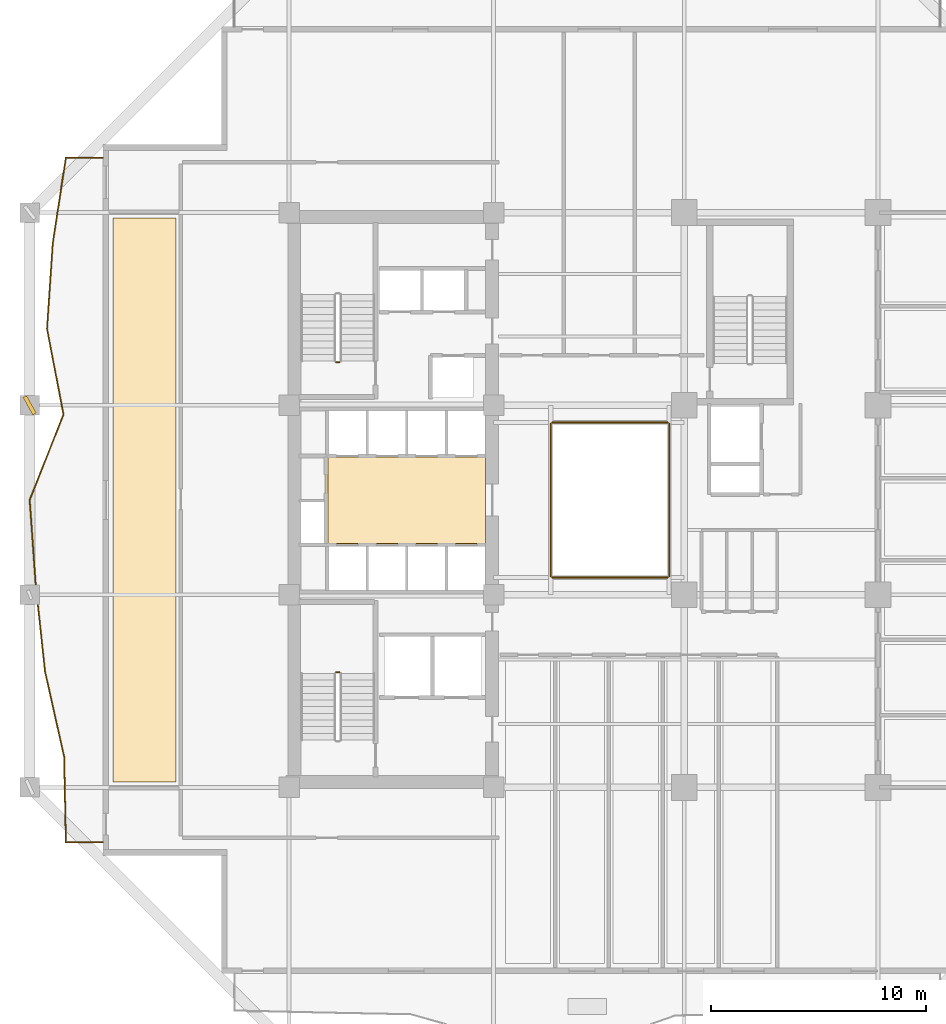
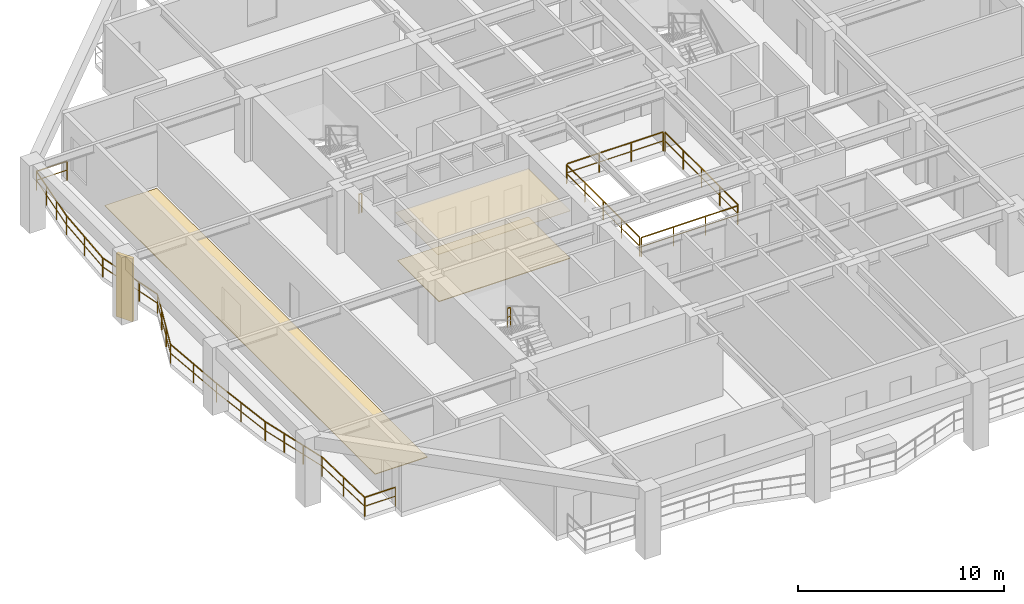
# One storey, part 9 of 13: 7 railings, 3 coverings, 1 shading device.
"""IFC4 building model written with IfcOpenShell, lengths in metres."""

from ifc_helpers import new_model, si_unit, direction, frame, origin, origin_2d, place, context, subcontext, project, spatial, polyline, rectangle, outline, extrude, material, layer, layer_set, type_object, element, save


model = new_model("IFC4")

# Units and contexts
model_context = context("Model", 3, precision=1e-05, world=origin(), true_north=direction((0.0, 1.0)))
body_context = subcontext(model_context, "Body", "Model", "MODEL_VIEW")
ifc_project = project(units=[si_unit("LENGTHUNIT", "METRE"), si_unit("AREAUNIT", "SQUARE_METRE"), si_unit("VOLUMEUNIT", "CUBIC_METRE"), si_unit("PLANEANGLEUNIT", "RADIAN"), si_unit("MASSUNIT", "GRAM", prefix="KILO")], contexts=[model_context])

# Site, building, storey
site_placement = place(None, origin())
site = spatial("IfcSite", under=ifc_project, at=site_placement, CompositionType="ELEMENT")
building_placement = place(site_placement, origin())
building = spatial("IfcBuilding", under=site, at=building_placement, Name="Kundavana Baori Tower", CompositionType="ELEMENT")
storey_placement = place(building_placement, frame((0.0, 0.0, 66.0)))
storey = spatial("IfcBuildingStorey", under=building, at=storey_placement, Name="L15", CompositionType="ELEMENT", Elevation=66.0)

# Coverings
ifc_material_1 = material(Name="Honed Kota Stone and Terrazzo Flooring", Category="masonry")
ifc_layer_1 = layer(ifc_material_1, 0.0400390625, Name="COV-FLR-TERR-40")
ifc_layer_set_1 = layer_set([ifc_layer_1], Name="Honed Kota Stone and Terrazzo Flooring")
covering_type_1 = type_object("IfcCoveringType", Name="COV-FLR-TERR-40", PredefinedType="FLOORING", material=ifc_layer_set_1)
covering_1_placement = place(storey_placement, origin())
element("IfcCovering", 1, at=covering_1_placement, inside=storey, type_object=covering_type_1, Name="L15 Room Finished Stone Flooring 1", PredefinedType="FLOORING", context=body_context, shape_type="SweptSolid", body=[
    extrude(outline(polyline([(7.280029296875, 15.5), (10.199951171875, 15.5), (10.199951171875, 41.699951171875), (7.280029296875, 41.699951171875), (7.280029296875, 15.5)])), origin(), (0.0, 0.0, 1.0), 0.0400390625),
])
covering_2_placement = place(storey_placement, origin())
element("IfcCovering", 2, at=covering_2_placement, inside=storey, type_object=covering_type_1, Name="L15 Core Lift Lobby Kota Stone Flooring", PredefinedType="FLOORING", context=body_context, shape_type="SweptSolid", body=[
    extrude(outline(polyline([(17.25, 26.580078125), (24.580078125, 26.580078125), (24.580078125, 30.60009765625), (17.25, 30.60009765625), (17.25, 26.580078125)])), origin(), (0.0, 0.0, 1.0), 0.0400390625),
])
ifc_material_2 = material(Name="Perforated Acoustic Mineral Fibre Ceiling Board")
ifc_layer_2 = layer(ifc_material_2, 0.02490234375, Name="COV-INT-CEIL")
ifc_layer_set_2 = layer_set([ifc_layer_2], Name="Perforated Acoustic Mineral Fibre Ceiling Board")
covering_type_2 = type_object("IfcCoveringType", Name="COV-INT-CEIL", PredefinedType="CEILING", material=ifc_layer_set_2)
covering_3_placement = place(storey_placement, frame((0.0, 0.0, 2.85009765625)))
element("IfcCovering", 3, at=covering_3_placement, inside=storey, type_object=covering_type_2, Name="L15 Core Lift Lobby Acoustic Ceiling", PredefinedType="CEILING", context=body_context, shape_type="SweptSolid", body=[
    extrude(outline(polyline([(17.159912109375, 26.52001953125), (24.580078125, 26.52001953125), (24.580078125, 30.639892578125), (17.159912109375, 30.639892578125), (17.159912109375, 26.52001953125)])), origin(), (0.0, 0.0, 1.0), 0.02490234375),
])

# Railings
ifc_material_3 = material(Name="Architectural Patinated Bronze Metalwork")
railing_type_1 = type_object("IfcRailingType", Name="RL-BAL-1150", PredefinedType="BALUSTRADE", material=ifc_material_3)
railing_1_placement = place(storey_placement, frame((6.800048828125, 12.699951171875, 0.0)))
element("IfcRailing", 4, at=railing_1_placement, inside=storey, type_object=railing_type_1, Name="L15 Loggia Balcony Balustrade W", PredefinedType="BALUSTRADE", context=body_context, shape_type="SweptSolid", body=[
    extrude(rectangle(XDim=0.048095703125, YDim=0.048095703125, at=origin_2d()), frame((0.0, 0.0, 1.1259765625), z_axis=(-1.0, 0.0, 0.0), x_axis=(0.0, -1.0, 0.0)), (0.0, 0.0, 1.0), 1.719970703125),
    extrude(rectangle(XDim=0.03125, YDim=0.03125, at=origin_2d()), frame((0.0, 0.0, 0.597900390625), z_axis=(-1.0, 0.0, 0.0), x_axis=(0.0, -1.0, 0.0)), (0.0, 0.0, 1.0), 1.719970703125),
    extrude(rectangle(XDim=0.048095703125, YDim=0.048095703125, at=origin_2d()), frame((-1.719970703125, 0.0, 1.1259765625), z_axis=(-0.021122911738, 0.99977688641, 0.0), x_axis=(-0.99977688641, -0.021122911738, 0.0)), (0.0, 0.0, 1.0), 3.97607421875),
    extrude(rectangle(XDim=0.03125, YDim=0.03125, at=origin_2d()), frame((-1.719970703125, 0.0, 0.597900390625), z_axis=(-0.021122911738, 0.99977688641, 0.0), x_axis=(-0.99977688641, -0.021122911738, 0.0)), (0.0, 0.0, 1.0), 3.97607421875),
    extrude(rectangle(XDim=0.048095703125, YDim=0.048095703125, at=origin_2d()), frame((-1.803955078125, 3.97509765625, 1.1259765625), z_axis=(-0.218072752943, 0.975932515302, 0.0), x_axis=(-0.975932515302, -0.218072752943, 0.0)), (0.0, 0.0, 1.0), 4.072998046875),
    extrude(rectangle(XDim=0.03125, YDim=0.03125, at=origin_2d()), frame((-1.803955078125, 3.97509765625, 0.597900390625), z_axis=(-0.218072752943, 0.975932515302, 0.0), x_axis=(-0.975932515302, -0.218072752943, 0.0)), (0.0, 0.0, 1.0), 4.072998046875),
    extrude(rectangle(XDim=0.048095703125, YDim=0.048095703125, at=origin_2d()), frame((-2.692138671875, 7.949951171875, 1.1259765625), z_axis=(-0.106563310947, 0.994305919101, 0.0), x_axis=(-0.994305919101, -0.106563310947, 0.0)), (0.0, 0.0, 1.0), 3.997802734375),
    extrude(rectangle(XDim=0.03125, YDim=0.03125, at=origin_2d()), frame((-2.692138671875, 7.949951171875, 0.597900390625), z_axis=(-0.106563310947, 0.994305919101, 0.0), x_axis=(-0.994305919101, -0.106563310947, 0.0)), (0.0, 0.0, 1.0), 3.997802734375),
    extrude(rectangle(XDim=0.048095703125, YDim=0.048095703125, at=origin_2d()), frame((-3.1181640625, 11.925048828125, 1.1259765625), z_axis=(-0.070759420793, 0.99749341069, 0.0), x_axis=(-0.99749341069, -0.070759420793, 0.0)), (0.0, 0.0, 1.0), 3.985107421875),
    extrude(rectangle(XDim=0.03125, YDim=0.03125, at=origin_2d()), frame((-3.1181640625, 11.925048828125, 0.597900390625), z_axis=(-0.070759420793, 0.99749341069, 0.0), x_axis=(-0.99749341069, -0.070759420793, 0.0)), (0.0, 0.0, 1.0), 3.985107421875),
    extrude(rectangle(XDim=0.048095703125, YDim=0.048095703125, at=origin_2d()), frame((-3.400146484375, 15.900146484375, 1.1259765625), z_axis=(0.366785315707, 0.930305612249, 0.0), x_axis=(-0.930305612249, 0.366785315707, 0.0)), (0.0, 0.0, 1.0), 4.272705078125),
    extrude(rectangle(XDim=0.03125, YDim=0.03125, at=origin_2d()), frame((-3.400146484375, 15.900146484375, 0.597900390625), z_axis=(0.366785315707, 0.930305612249, 0.0), x_axis=(-0.930305612249, 0.366785315707, 0.0)), (0.0, 0.0, 1.0), 4.272705078125),
    extrude(rectangle(XDim=0.048095703125, YDim=0.048095703125, at=origin_2d()), frame((-1.8330078125, 19.875, 1.1259765625), z_axis=(-0.189012922049, 0.981974600129, 0.0), x_axis=(-0.981974600129, -0.189012922049, 0.0)), (0.0, 0.0, 1.0), 4.048095703125),
    extrude(rectangle(XDim=0.03125, YDim=0.03125, at=origin_2d()), frame((-1.8330078125, 19.875, 0.597900390625), z_axis=(-0.189012922049, 0.981974600129, 0.0), x_axis=(-0.981974600129, -0.189012922049, 0.0)), (0.0, 0.0, 1.0), 4.048095703125),
    extrude(rectangle(XDim=0.048095703125, YDim=0.048095703125, at=origin_2d()), frame((-2.59814453125, 23.85009765625, 1.1259765625), z_axis=(0.067043703916, 0.997750039722, 0.0), x_axis=(-0.997750039722, 0.067043703916, 0.0)), (0.0, 0.0, 1.0), 3.98388671875),
    extrude(rectangle(XDim=0.03125, YDim=0.03125, at=origin_2d()), frame((-2.59814453125, 23.85009765625, 0.597900390625), z_axis=(0.067043703916, 0.997750039722, 0.0), x_axis=(-0.997750039722, 0.067043703916, 0.0)), (0.0, 0.0, 1.0), 3.98388671875),
    extrude(rectangle(XDim=0.048095703125, YDim=0.048095703125, at=origin_2d()), frame((-2.3310546875, 27.824951171875, 1.1259765625), z_axis=(0.151943143161, 0.988389235699, 0.0), x_axis=(-0.988389235699, 0.151943143161, 0.0)), (0.0, 0.0, 1.0), 4.021728515625),
    extrude(rectangle(XDim=0.03125, YDim=0.03125, at=origin_2d()), frame((-2.3310546875, 27.824951171875, 0.597900390625), z_axis=(0.151943143161, 0.988389235699, 0.0), x_axis=(-0.988389235699, 0.151943143161, 0.0)), (0.0, 0.0, 1.0), 4.021728515625),
    extrude(rectangle(XDim=0.048095703125, YDim=0.048095703125, at=origin_2d()), frame((-1.719970703125, 31.800048828125, 1.1259765625), z_axis=(1.0, 0.0, 0.0), x_axis=(0.0, 1.0, 0.0)), (0.0, 0.0, 1.0), 1.719970703125),
    extrude(rectangle(XDim=0.03125, YDim=0.03125, at=origin_2d()), frame((-1.719970703125, 31.800048828125, 0.597900390625), z_axis=(1.0, 0.0, 0.0), x_axis=(0.0, 1.0, 0.0)), (0.0, 0.0, 1.0), 1.719970703125),
    extrude(rectangle(XDim=0.0419921875, YDim=0.0419921875, at=origin_2d()), origin(), (0.0, 0.0, 1.0), 1.101806640625),
    extrude(rectangle(XDim=0.0419921875, YDim=0.0419921875, at=origin_2d()), frame((-1.719970703125, 0.0, 0.0)), (0.0, 0.0, 1.0), 1.101806640625),
    extrude(rectangle(XDim=0.0419921875, YDim=0.0419921875, at=origin_2d()), frame((-1.761962890625, 1.987548828125, 0.0)), (0.0, 0.0, 1.0), 1.101806640625),
    extrude(rectangle(XDim=0.0419921875, YDim=0.0419921875, at=origin_2d()), frame((-1.803955078125, 3.97509765625, 0.0)), (0.0, 0.0, 1.0), 1.101806640625),
    extrude(rectangle(XDim=0.0419921875, YDim=0.0419921875, at=origin_2d()), frame((-2.10009765625, 5.300048828125, 0.0)), (0.0, 0.0, 1.0), 1.101806640625),
    extrude(rectangle(XDim=0.0419921875, YDim=0.0419921875, at=origin_2d()), frame((-2.39599609375, 6.625, 0.0)), (0.0, 0.0, 1.0), 1.101806640625),
    extrude(rectangle(XDim=0.0419921875, YDim=0.0419921875, at=origin_2d()), frame((-2.692138671875, 7.949951171875, 0.0)), (0.0, 0.0, 1.0), 1.101806640625),
    extrude(rectangle(XDim=0.0419921875, YDim=0.0419921875, at=origin_2d()), frame((-2.9052734375, 9.9375, 0.0)), (0.0, 0.0, 1.0), 1.101806640625),
    extrude(rectangle(XDim=0.0419921875, YDim=0.0419921875, at=origin_2d()), frame((-3.1181640625, 11.925048828125, 0.0)), (0.0, 0.0, 1.0), 1.101806640625),
    extrude(rectangle(XDim=0.0419921875, YDim=0.0419921875, at=origin_2d()), frame((-3.25927734375, 13.91259765625, 0.0)), (0.0, 0.0, 1.0), 1.101806640625),
    extrude(rectangle(XDim=0.0419921875, YDim=0.0419921875, at=origin_2d()), frame((-3.400146484375, 15.900146484375, 0.0)), (0.0, 0.0, 1.0), 1.101806640625),
    extrude(rectangle(XDim=0.0419921875, YDim=0.0419921875, at=origin_2d()), frame((-2.877685546875, 17.22509765625, 0.0)), (0.0, 0.0, 1.0), 1.101806640625),
    extrude(rectangle(XDim=0.0419921875, YDim=0.0419921875, at=origin_2d()), frame((-2.35546875, 18.550048828125, 0.0)), (0.0, 0.0, 1.0), 1.101806640625),
    extrude(rectangle(XDim=0.0419921875, YDim=0.0419921875, at=origin_2d()), frame((-1.8330078125, 19.875, 0.0)), (0.0, 0.0, 1.0), 1.101806640625),
    extrude(rectangle(XDim=0.0419921875, YDim=0.0419921875, at=origin_2d()), frame((-2.088134765625, 21.199951171875, 0.0)), (0.0, 0.0, 1.0), 1.101806640625),
    extrude(rectangle(XDim=0.0419921875, YDim=0.0419921875, at=origin_2d()), frame((-2.343017578125, 22.525146484375, 0.0)), (0.0, 0.0, 1.0), 1.101806640625),
    extrude(rectangle(XDim=0.0419921875, YDim=0.0419921875, at=origin_2d()), frame((-2.59814453125, 23.85009765625, 0.0)), (0.0, 0.0, 1.0), 1.101806640625),
    extrude(rectangle(XDim=0.0419921875, YDim=0.0419921875, at=origin_2d()), frame((-2.464599609375, 25.83740234375, 0.0)), (0.0, 0.0, 1.0), 1.101806640625),
    extrude(rectangle(XDim=0.0419921875, YDim=0.0419921875, at=origin_2d()), frame((-2.3310546875, 27.824951171875, 0.0)), (0.0, 0.0, 1.0), 1.101806640625),
    extrude(rectangle(XDim=0.0419921875, YDim=0.0419921875, at=origin_2d()), frame((-2.12744140625, 29.14990234375, 0.0)), (0.0, 0.0, 1.0), 1.101806640625),
    extrude(rectangle(XDim=0.0419921875, YDim=0.0419921875, at=origin_2d()), frame((-1.923583984375, 30.47509765625, 0.0)), (0.0, 0.0, 1.0), 1.101806640625),
    extrude(rectangle(XDim=0.0419921875, YDim=0.0419921875, at=origin_2d()), frame((-1.719970703125, 31.800048828125, 0.0)), (0.0, 0.0, 1.0), 1.101806640625),
    extrude(rectangle(XDim=0.0419921875, YDim=0.0419921875, at=origin_2d()), frame((0.0, 31.800048828125, 0.0)), (0.0, 0.0, 1.0), 1.101806640625),
])
ifc_material_4 = material(Name="Architectural Patinated Bronze Metalwork")
railing_type_2 = type_object("IfcRailingType", Name="RL-GRD-1150", PredefinedType="GUARDRAIL", material=ifc_material_4)
for number, where, name in (
    (5, (17.7900390625, 20.60009765625, 2.0), "L15 ST1 stair guard 2"),
    (6, (17.7900390625, 35.0, 0.0), "L15 ST2 stair guard 4"),
):
    element("IfcRailing", number, at=place(storey_placement, frame(where)), inside=storey, type_object=railing_type_2, Name=name, PredefinedType="GUARDRAIL", context=body_context, shape_type="SweptSolid", body=[
        extrude(rectangle(XDim=0.048095703125, YDim=0.048095703125, at=origin_2d()), frame((0.0, 0.0, 1.1259765625), z_axis=(-1.0, 0.0, 0.0), x_axis=(0.0, -1.0, 0.0)), (0.0, 0.0, 1.0), 0.16015625),
        extrude(rectangle(XDim=0.03125, YDim=0.03125, at=origin_2d()), frame((0.0, 0.0, 0.597900390625), z_axis=(-1.0, 0.0, 0.0), x_axis=(0.0, -1.0, 0.0)), (0.0, 0.0, 1.0), 0.16015625),
        extrude(rectangle(XDim=0.0419921875, YDim=0.0419921875, at=origin_2d()), origin(), (0.0, 0.0, 1.0), 1.101806640625),
        extrude(rectangle(XDim=0.0419921875, YDim=0.0419921875, at=origin_2d()), frame((-0.16015625, 0.0, 0.0)), (0.0, 0.0, 1.0), 1.101806640625),
    ])
railing_2_placement = place(storey_placement, frame((27.659912109375, 25.0, 0.0)))
element("IfcRailing", 7, at=railing_2_placement, inside=storey, type_object=railing_type_2, Name="L15 Atrium Void Perimeter Guardrail S", PredefinedType="GUARDRAIL", context=body_context, shape_type="SweptSolid", body=[
    extrude(rectangle(XDim=0.048095703125, YDim=0.048095703125, at=origin_2d()), frame((0.0, 0.0, 1.1259765625), z_axis=(1.0, 0.0, 0.0), x_axis=(0.0, 1.0, 0.0)), (0.0, 0.0, 1.0), 5.380126953125),
    extrude(rectangle(XDim=0.03125, YDim=0.03125, at=origin_2d()), frame((0.0, 0.0, 0.597900390625), z_axis=(1.0, 0.0, 0.0), x_axis=(0.0, 1.0, 0.0)), (0.0, 0.0, 1.0), 5.380126953125),
    extrude(rectangle(XDim=0.0419921875, YDim=0.0419921875, at=origin_2d()), origin(), (0.0, 0.0, 1.0), 1.101806640625),
    extrude(rectangle(XDim=0.0419921875, YDim=0.0419921875, at=origin_2d()), frame((1.79345703125, 0.0, 0.0)), (0.0, 0.0, 1.0), 1.101806640625),
    extrude(rectangle(XDim=0.0419921875, YDim=0.0419921875, at=origin_2d()), frame((3.586669921875, 0.0, 0.0)), (0.0, 0.0, 1.0), 1.101806640625),
    extrude(rectangle(XDim=0.0419921875, YDim=0.0419921875, at=origin_2d()), frame((5.380126953125, 0.0, 0.0)), (0.0, 0.0, 1.0), 1.101806640625),
])
railing_3_placement = place(storey_placement, frame((33.10009765625, 25.06005859375, 0.0)))
element("IfcRailing", 8, at=railing_3_placement, inside=storey, type_object=railing_type_2, Name="L15 Atrium Void Perimeter Guardrail E", PredefinedType="GUARDRAIL", context=body_context, shape_type="SweptSolid", body=[
    extrude(rectangle(XDim=0.048095703125, YDim=0.048095703125, at=origin_2d()), frame((0.0, 0.0, 1.1259765625), z_axis=(0.0, 1.0, 0.0), x_axis=(-1.0, 0.0, 0.0)), (0.0, 0.0, 1.0), 7.079833984375),
    extrude(rectangle(XDim=0.03125, YDim=0.03125, at=origin_2d()), frame((0.0, 0.0, 0.597900390625), z_axis=(0.0, 1.0, 0.0), x_axis=(-1.0, 0.0, 0.0)), (0.0, 0.0, 1.0), 7.079833984375),
    extrude(rectangle(XDim=0.0419921875, YDim=0.0419921875, at=origin_2d()), origin(), (0.0, 0.0, 1.0), 1.101806640625),
    extrude(rectangle(XDim=0.0419921875, YDim=0.0419921875, at=origin_2d()), frame((0.0, 1.77001953125, 0.0)), (0.0, 0.0, 1.0), 1.101806640625),
    extrude(rectangle(XDim=0.0419921875, YDim=0.0419921875, at=origin_2d()), frame((0.0, 3.5400390625, 0.0)), (0.0, 0.0, 1.0), 1.101806640625),
    extrude(rectangle(XDim=0.0419921875, YDim=0.0419921875, at=origin_2d()), frame((0.0, 5.309814453125, 0.0)), (0.0, 0.0, 1.0), 1.101806640625),
    extrude(rectangle(XDim=0.0419921875, YDim=0.0419921875, at=origin_2d()), frame((0.0, 7.079833984375, 0.0)), (0.0, 0.0, 1.0), 1.101806640625),
])
railing_4_placement = place(storey_placement, frame((33.0400390625, 32.199951171875, 0.0)))
element("IfcRailing", 9, at=railing_4_placement, inside=storey, type_object=railing_type_2, Name="L15 Atrium Void Perimeter Guardrail N", PredefinedType="GUARDRAIL", context=body_context, shape_type="SweptSolid", body=[
    extrude(rectangle(XDim=0.048095703125, YDim=0.048095703125, at=origin_2d()), frame((0.0, 0.0, 1.1259765625), z_axis=(-1.0, 0.0, 0.0), x_axis=(0.0, -1.0, 0.0)), (0.0, 0.0, 1.0), 5.380126953125),
    extrude(rectangle(XDim=0.03125, YDim=0.03125, at=origin_2d()), frame((0.0, 0.0, 0.597900390625), z_axis=(-1.0, 0.0, 0.0), x_axis=(0.0, -1.0, 0.0)), (0.0, 0.0, 1.0), 5.380126953125),
    extrude(rectangle(XDim=0.0419921875, YDim=0.0419921875, at=origin_2d()), origin(), (0.0, 0.0, 1.0), 1.101806640625),
    extrude(rectangle(XDim=0.0419921875, YDim=0.0419921875, at=origin_2d()), frame((-1.79345703125, 0.0, 0.0)), (0.0, 0.0, 1.0), 1.101806640625),
    extrude(rectangle(XDim=0.0419921875, YDim=0.0419921875, at=origin_2d()), frame((-3.586669921875, 0.0, 0.0)), (0.0, 0.0, 1.0), 1.101806640625),
    extrude(rectangle(XDim=0.0419921875, YDim=0.0419921875, at=origin_2d()), frame((-5.380126953125, 0.0, 0.0)), (0.0, 0.0, 1.0), 1.101806640625),
])
railing_5_placement = place(storey_placement, frame((27.60009765625, 32.139892578125, 0.0)))
element("IfcRailing", 10, at=railing_5_placement, inside=storey, type_object=railing_type_2, Name="L15 Atrium Void Perimeter Guardrail W", PredefinedType="GUARDRAIL", context=body_context, shape_type="SweptSolid", body=[
    extrude(rectangle(XDim=0.048095703125, YDim=0.048095703125, at=origin_2d()), frame((0.0, 0.0, 1.1259765625), z_axis=(0.0, -1.0, 0.0), x_axis=(1.0, 0.0, 0.0)), (0.0, 0.0, 1.0), 7.079833984375),
    extrude(rectangle(XDim=0.03125, YDim=0.03125, at=origin_2d()), frame((0.0, 0.0, 0.597900390625), z_axis=(0.0, -1.0, 0.0), x_axis=(1.0, 0.0, 0.0)), (0.0, 0.0, 1.0), 7.079833984375),
    extrude(rectangle(XDim=0.0419921875, YDim=0.0419921875, at=origin_2d()), origin(), (0.0, 0.0, 1.0), 1.101806640625),
    extrude(rectangle(XDim=0.0419921875, YDim=0.0419921875, at=origin_2d()), frame((0.0, -1.77001953125, 0.0)), (0.0, 0.0, 1.0), 1.101806640625),
    extrude(rectangle(XDim=0.0419921875, YDim=0.0419921875, at=origin_2d()), frame((0.0, -3.5400390625, 0.0)), (0.0, 0.0, 1.0), 1.101806640625),
    extrude(rectangle(XDim=0.0419921875, YDim=0.0419921875, at=origin_2d()), frame((0.0, -5.309814453125, 0.0)), (0.0, 0.0, 1.0), 1.101806640625),
    extrude(rectangle(XDim=0.0419921875, YDim=0.0419921875, at=origin_2d()), frame((0.0, -7.079833984375, 0.0)), (0.0, 0.0, 1.0), 1.101806640625),
])

# Shading device
ifc_material_5 = material(Name="Red-Buff Dholpur Sandstone Cladding on Concrete C40/50", Category="masonry")
shading_device_type = type_object("IfcShadingDeviceType", Name="SHD-FIN-920", PredefinedType="JALOUSIE", material=ifc_material_5)
shading_device_placement = place(storey_placement, frame((3.39990234375, 33.0, 0.0), z_axis=(0.0, 0.0, 1.0), x_axis=(0.875548862354, 0.48312957851, 0.0)))
element("IfcShadingDevice", 11, at=shading_device_placement, inside=storey, type_object=shading_device_type, Name="L15 Sweeping Dholpur Sandstone Facade Fin 7", PredefinedType="JALOUSIE", context=body_context, shape_type="SweptSolid", body=[
    extrude(rectangle(XDim=0.179931640625, YDim=0.919921875, at=origin_2d()), origin(), (0.0, 0.0, 1.0), 3.719970703125),
])

save(model, "model.ifc")
